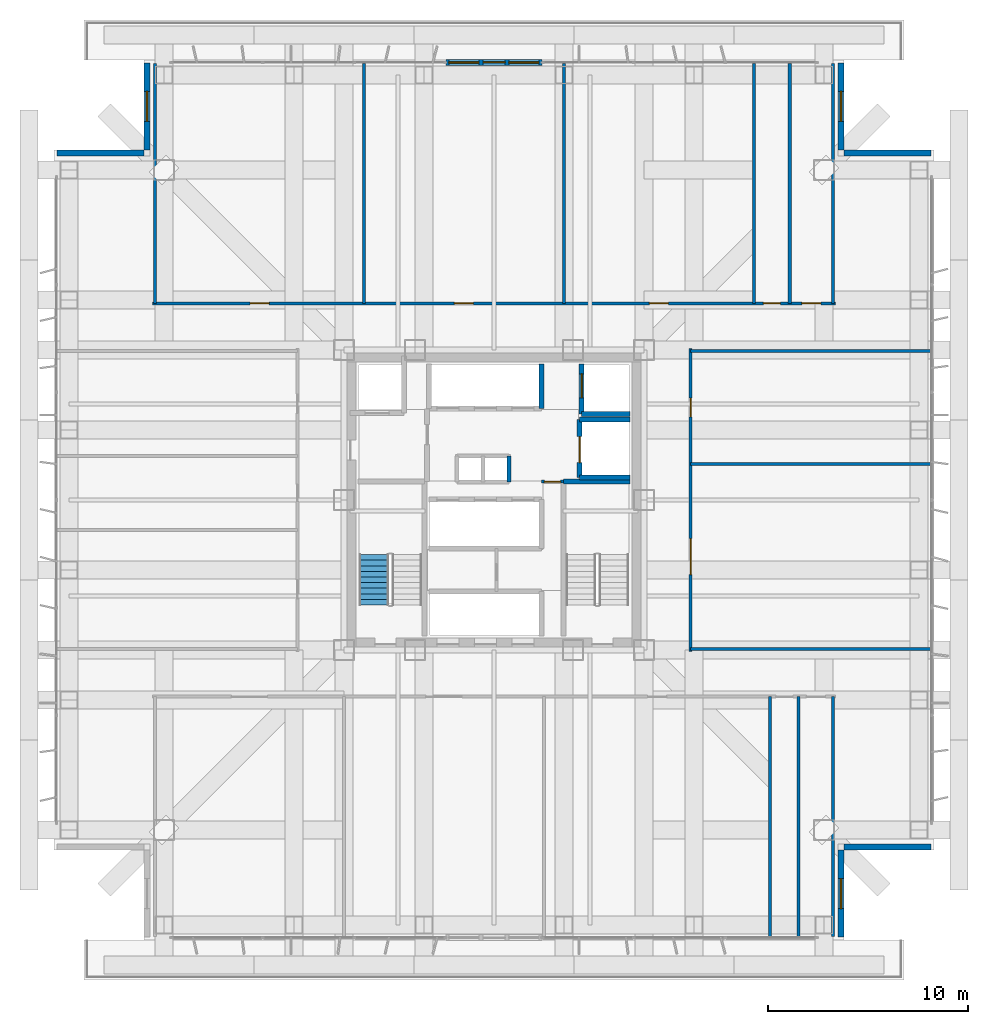
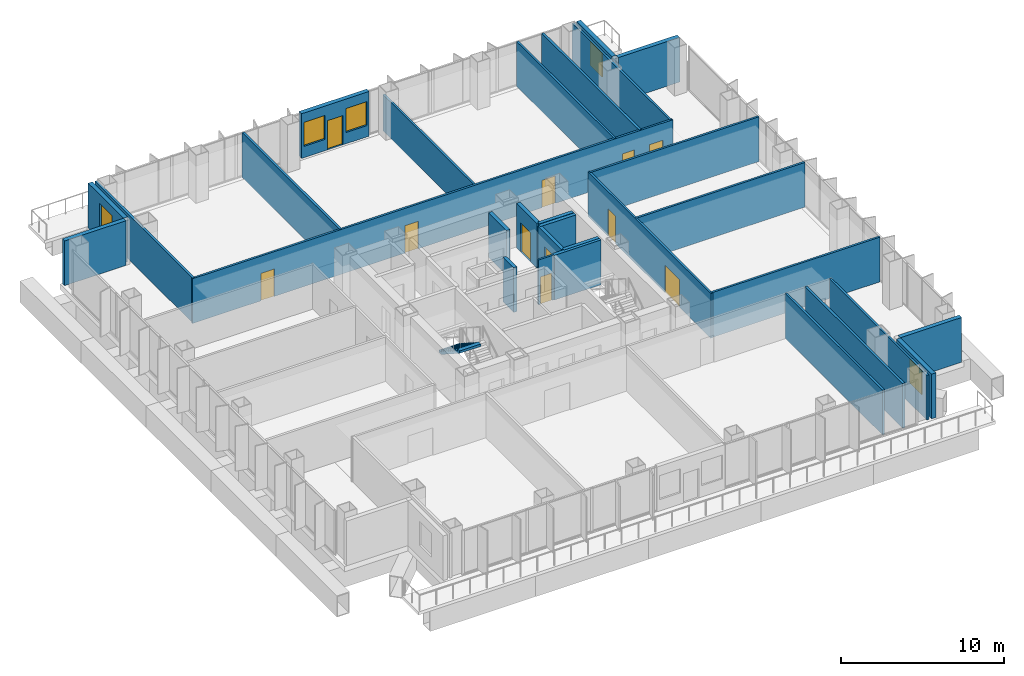
# One storey, part 13 of 17: 30 walls, 11 doors, 5 windows, 1 stair flight, 16 openings, 1 element without a shape of its own.
"""IFC4 building model written with IfcOpenShell, lengths in metres."""

from ifc_helpers import new_model, si_unit, direction, frame, frame_2d, origin, place, context, subcontext, project, spatial, polyline, rectangle, outline, extrude, material, layer, layer_set, type_object, element, fill, aggregate, save


model = new_model("IFC4")

# Units and contexts
model_context = context("Model", 3, precision=1e-05, world=origin(), true_north=direction((0.0, 1.0)))
body_context = subcontext(model_context, "Body", "Model", "MODEL_VIEW")
ifc_project = project(units=[si_unit("LENGTHUNIT", "METRE"), si_unit("AREAUNIT", "SQUARE_METRE"), si_unit("VOLUMEUNIT", "CUBIC_METRE"), si_unit("PLANEANGLEUNIT", "RADIAN"), si_unit("MASSUNIT", "GRAM", prefix="KILO")], contexts=[model_context])

# Site, building, storey
site_placement = place(None, origin())
site = spatial("IfcSite", under=ifc_project, at=site_placement, CompositionType="ELEMENT")
building_placement = place(site_placement, origin())
building = spatial("IfcBuilding", under=site, at=building_placement, Name="Trevonay Congress Spire", CompositionType="ELEMENT")
storey_placement = place(building_placement, frame((0.0, 0.0, 94.0)))
storey = spatial("IfcBuildingStorey", under=building, at=storey_placement, Name="L23", CompositionType="ELEMENT", Elevation=94.0)

# Wall, openings, doors
ifc_material_1 = material(Name="Concrete C40/50", Category="concrete")
ifc_layer_1 = layer(ifc_material_1, 0.14990234375, Name="Concrete C40/50")
ifc_layer_set_1 = layer_set([ifc_layer_1], Name="Concrete C40/50")
wall_type_1 = type_object("IfcWallType", Name="WAL-CORR-150", PredefinedType="PARTITIONING", material=ifc_layer_set_1)
wall_1_placement = place(storey_placement, frame((-17.070068359375, 9.830078125, 0.0), z_axis=(0.0, 0.0, 1.0), x_axis=(1.0, 0.0, 0.0)))
wall_1 = element("IfcWall", 1, at=wall_1_placement, inside=storey, type_object=wall_type_1, Name="L23 interior wall WP-L23N-COR", PredefinedType="PARTITIONING", context=body_context, shape_type="SweptSolid", body=[
    extrude(rectangle(XDim=34.14013671875, YDim=0.14990234375, at=frame_2d((17.070068359375, 0.0))), origin(), (0.0, 0.0, 1.0), 3.360107421875),
])
opening_1_placement = place(wall_1_placement, frame((4.8701171875, 0.0, 0.0)))
opening_1 = element("IfcOpeningElement", 2, at=opening_1_placement, cuts=wall_1, Name="Opening D07", PredefinedType="OPENING", context=body_context, shape_type="SweptSolid", body=[
    extrude(rectangle(XDim=0.949951171875, YDim=2.06005859375, at=frame_2d((0.47509765625, 1.030029296875))), frame((0.0, 0.0849609375, 0.0), z_axis=(0.0, -1.0, 0.0), x_axis=(1.0, 0.0, 0.0)), (0.0, 0.0, 1.0), 0.169921875),
])
opening_2_placement = place(wall_1_placement, frame((15.094970703125, 0.0, 0.0)))
opening_2 = element("IfcOpeningElement", 3, at=opening_2_placement, cuts=wall_1, Name="Opening D07", PredefinedType="OPENING", context=body_context, shape_type="SweptSolid", body=[
    extrude(rectangle(XDim=0.949951171875, YDim=2.06005859375, at=frame_2d((0.47509765625, 1.030029296875))), frame((0.0, 0.0849609375, 0.0), z_axis=(0.0, -1.0, 0.0), x_axis=(1.0, 0.0, 0.0)), (0.0, 0.0, 1.0), 0.169921875),
])
opening_3_placement = place(wall_1_placement, frame((24.844970703125, 0.0, 0.0)))
opening_3 = element("IfcOpeningElement", 4, at=opening_3_placement, cuts=wall_1, Name="Opening D07", PredefinedType="OPENING", context=body_context, shape_type="SweptSolid", body=[
    extrude(rectangle(XDim=0.949951171875, YDim=2.06005859375, at=frame_2d((0.47509765625, 1.030029296875))), frame((0.0, 0.0849609375, 0.0), z_axis=(0.0, -1.0, 0.0), x_axis=(1.0, 0.0, 0.0)), (0.0, 0.0, 1.0), 0.169921875),
])
opening_4_placement = place(wall_1_placement, frame((30.5400390625, 0.0, 0.0)))
opening_4 = element("IfcOpeningElement", 5, at=opening_4_placement, cuts=wall_1, Name="Opening D10", PredefinedType="OPENING", context=body_context, shape_type="SweptSolid", body=[
    extrude(rectangle(XDim=0.85009765625, YDim=2.050048828125, at=frame_2d((0.425048828125, 1.02490234375))), frame((0.0, 0.0849609375, 0.0), z_axis=(0.0, -1.0, 0.0), x_axis=(1.0, 0.0, 0.0)), (0.0, 0.0, 1.0), 0.169921875),
])
opening_5_placement = place(wall_1_placement, frame((32.465087890625, 0.0, 0.0)))
opening_5 = element("IfcOpeningElement", 6, at=opening_5_placement, cuts=wall_1, Name="Opening D07", PredefinedType="OPENING", context=body_context, shape_type="SweptSolid", body=[
    extrude(rectangle(XDim=0.949951171875, YDim=2.06005859375, at=frame_2d((0.47509765625, 1.030029296875))), frame((0.0, 0.0849609375, 0.0), z_axis=(0.0, -1.0, 0.0), x_axis=(1.0, 0.0, 0.0)), (0.0, 0.0, 1.0), 0.169921875),
])
ifc_material_2 = material(Name="Pale Anodised Aluminium EN AW-6063-T6", Category="aluminium")
door_type_1 = type_object("IfcDoorType", Name="DOR-OFFICE-95", OperationType="NOTDEFINED", PredefinedType="DOOR", material=ifc_material_2)
door_1_placement = place(opening_1_placement, origin())
door_1 = element("IfcDoor", 7, at=door_1_placement, inside=storey, type_object=door_type_1, Name="L23 Sky-Lobby Business Secretariat Office Door", OperationType="SINGLE_SWING_RIGHT", OverallHeight=2.06005859375, OverallWidth=0.949951171875, PredefinedType="DOOR", context=body_context, shape_type="SweptSolid", body=[
    extrude(rectangle(XDim=0.949951171875, YDim=2.06005859375, at=frame_2d((0.47509765625, 1.030029296875))), frame((0.0, 0.02490234375, 0.0), z_axis=(0.0, -1.0, 0.0), x_axis=(1.0, 0.0, 0.0)), (0.0, 0.0, 1.0), 0.050048828125),
])
fill(opening_1, door_1)
door_2_placement = place(opening_2_placement, origin())
door_2 = element("IfcDoor", 8, at=door_2_placement, inside=storey, type_object=door_type_1, Name="L23 Protocol Archive Store Door", OperationType="SINGLE_SWING_LEFT", OverallHeight=2.06005859375, OverallWidth=0.949951171875, PredefinedType="DOOR", context=body_context, shape_type="SweptSolid", body=[
    extrude(rectangle(XDim=0.949951171875, YDim=2.06005859375, at=frame_2d((0.47509765625, 1.030029296875))), frame((0.0, 0.02490234375, 0.0), z_axis=(0.0, -1.0, 0.0), x_axis=(1.0, 0.0, 0.0)), (0.0, 0.0, 1.0), 0.050048828125),
])
fill(opening_2, door_2)
door_3_placement = place(opening_3_placement, origin())
door_3 = element("IfcDoor", 9, at=door_3_placement, inside=storey, type_object=door_type_1, Name="L23 Press Interview Office Door", OperationType="SINGLE_SWING_RIGHT", OverallHeight=2.06005859375, OverallWidth=0.949951171875, PredefinedType="DOOR", context=body_context, shape_type="SweptSolid", body=[
    extrude(rectangle(XDim=0.949951171875, YDim=2.06005859375, at=frame_2d((0.47509765625, 1.030029296875))), frame((0.0, 0.02490234375, 0.0), z_axis=(0.0, -1.0, 0.0), x_axis=(1.0, 0.0, 0.0)), (0.0, 0.0, 1.0), 0.050048828125),
])
fill(opening_3, door_3)
door_4_placement = place(opening_5_placement, origin())
door_4 = element("IfcDoor", 10, at=door_4_placement, inside=storey, type_object=door_type_1, Name="L23 Floor Supplies and Copy Room Door", OperationType="SINGLE_SWING_RIGHT", OverallHeight=2.06005859375, OverallWidth=0.949951171875, PredefinedType="DOOR", context=body_context, shape_type="SweptSolid", body=[
    extrude(rectangle(XDim=0.949951171875, YDim=2.06005859375, at=frame_2d((0.47509765625, 1.030029296875))), frame((0.0, 0.02490234375, 0.0), z_axis=(0.0, -1.0, 0.0), x_axis=(1.0, 0.0, 0.0)), (0.0, 0.0, 1.0), 0.050048828125),
])
fill(opening_5, door_4)
door_type_2 = type_object("IfcDoorType", Name="DOR-WC-85", OperationType="NOTDEFINED", PredefinedType="DOOR", material=ifc_material_2)
door_5_placement = place(opening_4_placement, origin())
door_5 = element("IfcDoor", 11, at=door_5_placement, inside=storey, type_object=door_type_2, Name="L23 Female Restroom WC Door", OperationType="SINGLE_SWING_LEFT", OverallHeight=2.050048828125, OverallWidth=0.85009765625, PredefinedType="DOOR", context=body_context, shape_type="SweptSolid", body=[
    extrude(rectangle(XDim=0.85009765625, YDim=2.050048828125, at=frame_2d((0.425048828125, 1.02490234375))), frame((0.0, 0.02490234375, 0.0), z_axis=(0.0, -1.0, 0.0), x_axis=(1.0, 0.0, 0.0)), (0.0, 0.0, 1.0), 0.050048828125),
])
fill(opening_4, door_5)

wall_2_placement = place(storey_placement, frame((9.830078125, -7.570068359375, 0.0), z_axis=(0.0, 0.0, 1.0), x_axis=(0.0, 1.0, 0.0)))
wall_2 = element("IfcWall", 12, at=wall_2_placement, inside=storey, type_object=wall_type_1, Name="L23 interior wall WP-L23E-COR", PredefinedType="PARTITIONING", context=body_context, shape_type="SweptSolid", body=[
    extrude(rectangle(XDim=15.14013671875, YDim=0.14990234375, at=frame_2d((7.570068359375, 0.0))), origin(), (0.0, 0.0, 1.0), 3.360107421875),
])
opening_6_placement = place(wall_2_placement, frame((3.844970703125, 0.0, 0.0)))
opening_6 = element("IfcOpeningElement", 13, at=opening_6_placement, cuts=wall_2, Name="Opening D09", PredefinedType="OPENING", context=body_context, shape_type="SweptSolid", body=[
    extrude(rectangle(XDim=1.800048828125, YDim=2.080078125, at=frame_2d((0.89990234375, 1.0400390625))), frame((0.0, 0.0849609375, 0.0), z_axis=(0.0, -1.0, 0.0), x_axis=(1.0, 0.0, 0.0)), (0.0, 0.0, 1.0), 0.169921875),
])
opening_7_placement = place(wall_2_placement, frame((11.719970703125, 0.0, 0.0)))
opening_7 = element("IfcOpeningElement", 14, at=opening_7_placement, cuts=wall_2, Name="Opening D07", PredefinedType="OPENING", context=body_context, shape_type="SweptSolid", body=[
    extrude(rectangle(XDim=0.949951171875, YDim=2.06005859375, at=frame_2d((0.47509765625, 1.030029296875))), frame((0.0, 0.0849609375, 0.0), z_axis=(0.0, -1.0, 0.0), x_axis=(1.0, 0.0, 0.0)), (0.0, 0.0, 1.0), 0.169921875),
])
door_type_3 = type_object("IfcDoorType", Name="DOR-CONF-DBL", OperationType="DOUBLE_DOOR_SINGLE_SWING", PredefinedType="DOOR", material=ifc_material_2)
door_6_placement = place(opening_6_placement, origin())
door_6 = element("IfcDoor", 15, at=door_6_placement, inside=storey, type_object=door_type_3, Name="L23 VIP Delegation Waiting Salon Door", OperationType="DOUBLE_DOOR_SINGLE_SWING", OverallHeight=2.080078125, OverallWidth=1.800048828125, PredefinedType="DOOR", context=body_context, shape_type="SweptSolid", body=[
    extrude(rectangle(XDim=1.800048828125, YDim=2.080078125, at=frame_2d((0.89990234375, 1.0400390625))), frame((0.0, 0.02490234375, 0.0), z_axis=(0.0, -1.0, 0.0), x_axis=(1.0, 0.0, 0.0)), (0.0, 0.0, 1.0), 0.050048828125),
])
fill(opening_6, door_6)
door_7_placement = place(opening_7_placement, origin())
door_7 = element("IfcDoor", 16, at=door_7_placement, inside=storey, type_object=door_type_1, Name="L23 Catering Servery Kitchen Door", OperationType="SINGLE_SWING_RIGHT", OverallHeight=2.06005859375, OverallWidth=0.949951171875, PredefinedType="DOOR", context=body_context, shape_type="SweptSolid", body=[
    extrude(rectangle(XDim=0.949951171875, YDim=2.06005859375, at=frame_2d((0.47509765625, 1.030029296875))), frame((0.0, 0.02490234375, 0.0), z_axis=(0.0, -1.0, 0.0), x_axis=(1.0, 0.0, 0.0)), (0.0, 0.0, 1.0), 0.050048828125),
])
fill(opening_7, door_7)

# Wall, openings, door, windows
ifc_material_3 = material(Name="Precast concrete C40/50", Category="concrete")
ifc_layer_2 = layer(ifc_material_3, 0.300048828125, Name="Precast concrete C40/50")
ifc_layer_set_2 = layer_set([ifc_layer_2], Name="Precast concrete C40/50")
wall_type_2 = type_object("IfcWallType", Name="WAL-EXT-PRECAST-300", PredefinedType="SOLIDWALL", material=ifc_layer_set_2)
wall_3_placement = place(storey_placement, frame((-2.39990234375, 21.8798828125, 0.0), z_axis=(0.0, 0.0, 1.0), x_axis=(1.0, 0.0, 0.0)))
wall_3 = element("IfcWall", 17, at=wall_3_placement, inside=storey, type_object=wall_type_2, Name="L23 N glazed balcony portal exterior wall", PredefinedType="SOLIDWALL", context=body_context, shape_type="SweptSolid", body=[
    extrude(rectangle(XDim=4.7998046875, YDim=0.300048828125, at=frame_2d((2.39990234375, 0.0))), origin(), (0.0, 0.0, 1.0), 3.360107421875),
])
opening_8_placement = place(wall_3_placement, frame((1.85009765625, 0.0, 0.0)))
opening_8 = element("IfcOpeningElement", 18, at=opening_8_placement, cuts=wall_3, Name="Opening D03", PredefinedType="OPENING", context=body_context, shape_type="SweptSolid", body=[
    extrude(rectangle(XDim=1.10009765625, YDim=2.199951171875, at=frame_2d((0.550048828125, 1.10009765625))), frame((0.0, 0.16015625, 0.0), z_axis=(0.0, -1.0, 0.0), x_axis=(1.0, 0.0, 0.0)), (0.0, 0.0, 1.0), 0.320068359375),
])
opening_9_placement = place(wall_3_placement, frame((0.14990234375, 0.0, 0.85009765625)))
opening_9 = element("IfcOpeningElement", 19, at=opening_9_placement, cuts=wall_3, Name="Opening WN03", PredefinedType="OPENING", context=body_context, shape_type="SweptSolid", body=[
    extrude(rectangle(XDim=1.5, YDim=1.800048828125, at=frame_2d((0.75, 0.89990234375))), frame((0.0, 0.16015625, 0.0), z_axis=(0.0, -1.0, 0.0), x_axis=(1.0, 0.0, 0.0)), (0.0, 0.0, 1.0), 0.320068359375),
])
opening_10_placement = place(wall_3_placement, frame((3.14990234375, 0.0, 0.85009765625)))
opening_10 = element("IfcOpeningElement", 20, at=opening_10_placement, cuts=wall_3, Name="Opening WN03", PredefinedType="OPENING", context=body_context, shape_type="SweptSolid", body=[
    extrude(rectangle(XDim=1.5, YDim=1.800048828125, at=frame_2d((0.75, 0.89990234375))), frame((0.0, 0.16015625, 0.0), z_axis=(0.0, -1.0, 0.0), x_axis=(1.0, 0.0, 0.0)), (0.0, 0.0, 1.0), 0.320068359375),
])
door_type_4 = type_object("IfcDoorType", Name="DOR-EXT-BAL-110", OperationType="NOTDEFINED", PredefinedType="DOOR", material=ifc_material_2)
door_8_placement = place(opening_8_placement, origin())
door_8 = element("IfcDoor", 21, at=door_8_placement, inside=storey, type_object=door_type_4, Name="L23 N glazed outdoor terrace and balcony door", OperationType="SINGLE_SWING_RIGHT", OverallHeight=2.199951171875, OverallWidth=1.10009765625, PredefinedType="DOOR", context=body_context, shape_type="SweptSolid", body=[
    extrude(rectangle(XDim=1.10009765625, YDim=2.199951171875, at=frame_2d((0.550048828125, 1.10009765625))), frame((0.0, 0.02490234375, 0.0), z_axis=(0.0, -1.0, 0.0), x_axis=(1.0, 0.0, 0.0)), (0.0, 0.0, 1.0), 0.050048828125),
])
fill(opening_8, door_8)
ifc_material_4 = material(Name="Insulated Low-E Vision Glass IGU", Category="glass")
window_type = type_object("IfcWindowType", Name="WIN-NOTCH-150X180", PartitioningType="SINGLE_PANEL", PredefinedType="WINDOW", material=ifc_material_4)
window_1_placement = place(opening_9_placement, origin())
window_1 = element("IfcWindow", 22, at=window_1_placement, inside=storey, type_object=window_type, Name="L23 N balcony sidelight window L", OverallHeight=1.800048828125, OverallWidth=1.5, PartitioningType="SINGLE_PANEL", PredefinedType="WINDOW", context=body_context, shape_type="SweptSolid", body=[
    extrude(rectangle(XDim=1.5, YDim=1.800048828125, at=frame_2d((0.75, 0.89990234375))), frame((0.0, 0.030029296875, 0.0), z_axis=(0.0, -1.0, 0.0), x_axis=(1.0, 0.0, 0.0)), (0.0, 0.0, 1.0), 0.06005859375),
])
fill(opening_9, window_1)
window_2_placement = place(opening_10_placement, origin())
window_2 = element("IfcWindow", 23, at=window_2_placement, inside=storey, type_object=window_type, Name="L23 N balcony sidelight window R", OverallHeight=1.800048828125, OverallWidth=1.5, PartitioningType="SINGLE_PANEL", PredefinedType="WINDOW", context=body_context, shape_type="SweptSolid", body=[
    extrude(rectangle(XDim=1.5, YDim=1.800048828125, at=frame_2d((0.75, 0.89990234375))), frame((0.0, 0.030029296875, 0.0), z_axis=(0.0, -1.0, 0.0), x_axis=(1.0, 0.0, 0.0)), (0.0, 0.0, 1.0), 0.06005859375),
])
fill(opening_10, window_2)

# Wall, opening, window
wall_4_placement = place(storey_placement, frame((17.35009765625, -21.85009765625, 0.0), z_axis=(0.0, 0.0, 1.0), x_axis=(0.0, 1.0, 0.0)))
wall_4 = element("IfcWall", 24, at=wall_4_placement, inside=storey, type_object=wall_type_2, Name="L23 SE re-entrant notch exterior wall 1", PredefinedType="SOLIDWALL", context=body_context, shape_type="SweptSolid", body=[
    extrude(rectangle(XDim=4.35009765625, YDim=0.300048828125, at=frame_2d((2.175048828125, 0.0))), origin(), (0.0, 0.0, 1.0), 3.360107421875),
])
opening_11_placement = place(wall_4_placement, frame((1.425048828125, 0.0, 0.89990234375)))
opening_11 = element("IfcOpeningElement", 25, at=opening_11_placement, cuts=wall_4, Name="Opening WN03", PredefinedType="OPENING", context=body_context, shape_type="SweptSolid", body=[
    extrude(rectangle(XDim=1.5, YDim=1.800048828125, at=frame_2d((0.75, 0.89990234375))), frame((0.0, 0.16015625, 0.0), z_axis=(0.0, -1.0, 0.0), x_axis=(1.0, 0.0, 0.0)), (0.0, 0.0, 1.0), 0.320068359375),
])
window_3_placement = place(opening_11_placement, origin())
window_3 = element("IfcWindow", 26, at=window_3_placement, inside=storey, type_object=window_type, Name="L23 SE corner notch window", OverallHeight=1.800048828125, OverallWidth=1.5, PartitioningType="SINGLE_PANEL", PredefinedType="WINDOW", context=body_context, shape_type="SweptSolid", body=[
    extrude(rectangle(XDim=1.5, YDim=1.800048828125, at=frame_2d((0.75, 0.89990234375))), frame((0.0, 0.030029296875, 0.0), z_axis=(0.0, -1.0, 0.0), x_axis=(1.0, 0.0, 0.0)), (0.0, 0.0, 1.0), 0.06005859375),
])
fill(opening_11, window_3)

# Wall
wall_5_placement = place(storey_placement, frame((21.85009765625, -17.35009765625, 0.0), z_axis=(0.0, 0.0, 1.0), x_axis=(-1.0, 0.0, 0.0)))
element("IfcWall", 27, at=wall_5_placement, inside=storey, type_object=wall_type_2, Name="L23 SE re-entrant notch exterior wall 2", PredefinedType="SOLIDWALL", context=body_context, shape_type="SweptSolid", body=[
    extrude(rectangle(XDim=4.35009765625, YDim=0.300048828125, at=frame_2d((2.175048828125, 0.0))), origin(), (0.0, 0.0, 1.0), 3.360107421875),
])

# Wall, opening, window
wall_6_placement = place(storey_placement, frame((17.35009765625, 21.85009765625, 0.0), z_axis=(0.0, 0.0, 1.0), x_axis=(0.0, -1.0, 0.0)))
wall_6 = element("IfcWall", 28, at=wall_6_placement, inside=storey, type_object=wall_type_2, Name="L23 NE re-entrant notch exterior wall 1", PredefinedType="SOLIDWALL", context=body_context, shape_type="SweptSolid", body=[
    extrude(rectangle(XDim=4.35009765625, YDim=0.300048828125, at=frame_2d((2.175048828125, 0.0))), origin(), (0.0, 0.0, 1.0), 3.360107421875),
])
opening_12_placement = place(wall_6_placement, frame((1.425048828125, 0.0, 0.89990234375)))
opening_12 = element("IfcOpeningElement", 29, at=opening_12_placement, cuts=wall_6, Name="Opening WN03", PredefinedType="OPENING", context=body_context, shape_type="SweptSolid", body=[
    extrude(rectangle(XDim=1.5, YDim=1.800048828125, at=frame_2d((0.75, 0.89990234375))), frame((0.0, 0.16015625, 0.0), z_axis=(0.0, -1.0, 0.0), x_axis=(1.0, 0.0, 0.0)), (0.0, 0.0, 1.0), 0.320068359375),
])
window_4_placement = place(opening_12_placement, origin())
window_4 = element("IfcWindow", 30, at=window_4_placement, inside=storey, type_object=window_type, Name="L23 NE corner notch window", OverallHeight=1.800048828125, OverallWidth=1.5, PartitioningType="SINGLE_PANEL", PredefinedType="WINDOW", context=body_context, shape_type="SweptSolid", body=[
    extrude(rectangle(XDim=1.5, YDim=1.800048828125, at=frame_2d((0.75, 0.89990234375))), frame((0.0, 0.030029296875, 0.0), z_axis=(0.0, -1.0, 0.0), x_axis=(1.0, 0.0, 0.0)), (0.0, 0.0, 1.0), 0.06005859375),
])
fill(opening_12, window_4)

# Wall
wall_7_placement = place(storey_placement, frame((21.85009765625, 17.35009765625, 0.0), z_axis=(0.0, 0.0, 1.0), x_axis=(-1.0, 0.0, 0.0)))
element("IfcWall", 31, at=wall_7_placement, inside=storey, type_object=wall_type_2, Name="L23 NE re-entrant notch exterior wall 2", PredefinedType="SOLIDWALL", context=body_context, shape_type="SweptSolid", body=[
    extrude(rectangle(XDim=4.35009765625, YDim=0.300048828125, at=frame_2d((2.175048828125, 0.0))), origin(), (0.0, 0.0, 1.0), 3.360107421875),
])

# Wall, opening, window
wall_8_placement = place(storey_placement, frame((-17.35009765625, 21.85009765625, 0.0), z_axis=(0.0, 0.0, 1.0), x_axis=(0.0, -1.0, 0.0)))
wall_8 = element("IfcWall", 32, at=wall_8_placement, inside=storey, type_object=wall_type_2, Name="L23 NW re-entrant notch exterior wall 1", PredefinedType="SOLIDWALL", context=body_context, shape_type="SweptSolid", body=[
    extrude(rectangle(XDim=4.35009765625, YDim=0.300048828125, at=frame_2d((2.175048828125, 0.0))), origin(), (0.0, 0.0, 1.0), 3.360107421875),
])
opening_13_placement = place(wall_8_placement, frame((1.425048828125, 0.0, 0.89990234375)))
opening_13 = element("IfcOpeningElement", 33, at=opening_13_placement, cuts=wall_8, Name="Opening WN03", PredefinedType="OPENING", context=body_context, shape_type="SweptSolid", body=[
    extrude(rectangle(XDim=1.5, YDim=1.800048828125, at=frame_2d((0.75, 0.89990234375))), frame((0.0, 0.16015625, 0.0), z_axis=(0.0, -1.0, 0.0), x_axis=(1.0, 0.0, 0.0)), (0.0, 0.0, 1.0), 0.320068359375),
])
window_5_placement = place(opening_13_placement, origin())
window_5 = element("IfcWindow", 34, at=window_5_placement, inside=storey, type_object=window_type, Name="L23 NW corner notch window", OverallHeight=1.800048828125, OverallWidth=1.5, PartitioningType="SINGLE_PANEL", PredefinedType="WINDOW", context=body_context, shape_type="SweptSolid", body=[
    extrude(rectangle(XDim=1.5, YDim=1.800048828125, at=frame_2d((0.75, 0.89990234375))), frame((0.0, 0.030029296875, 0.0), z_axis=(0.0, -1.0, 0.0), x_axis=(1.0, 0.0, 0.0)), (0.0, 0.0, 1.0), 0.06005859375),
])
fill(opening_13, window_5)

# Wall
wall_9_placement = place(storey_placement, frame((-21.85009765625, 17.35009765625, 0.0), z_axis=(0.0, 0.0, 1.0), x_axis=(1.0, 0.0, 0.0)))
element("IfcWall", 35, at=wall_9_placement, inside=storey, type_object=wall_type_2, Name="L23 NW re-entrant notch exterior wall 2", PredefinedType="SOLIDWALL", context=body_context, shape_type="SweptSolid", body=[
    extrude(rectangle(XDim=4.35009765625, YDim=0.300048828125, at=frame_2d((2.175048828125, 0.0))), origin(), (0.0, 0.0, 1.0), 3.360107421875),
])

# Wall, opening, door
ifc_layer_3 = layer(ifc_material_1, 0.14990234375, Name="Concrete C40/50")
ifc_layer_set_3 = layer_set([ifc_layer_3], Name="Concrete C40/50")
wall_type_3 = type_object("IfcWallType", Name="WAL-PART-150", PredefinedType="PARTITIONING", material=ifc_layer_set_3)
wall_10_placement = place(storey_placement, frame((2.3798828125, 0.919921875, 0.0), z_axis=(0.0, 0.0, 1.0), x_axis=(1.0, 0.0, 0.0)))
wall_10 = element("IfcWall", 36, at=wall_10_placement, inside=storey, type_object=wall_type_3, Name="L23 interior wall CW-CSRV-N-L23", PredefinedType="PARTITIONING", context=body_context, shape_type="SweptSolid", body=[
    extrude(rectangle(XDim=1.090087890625, YDim=0.14990234375, at=frame_2d((0.544921875, 0.0))), origin(), (0.0, 0.0, 1.0), 3.360107421875),
])
opening_14_placement = place(wall_10_placement, frame((0.135009765625, 0.0, 0.0)))
opening_14 = element("IfcOpeningElement", 37, at=opening_14_placement, cuts=wall_10, Name="Opening D13", PredefinedType="OPENING", context=body_context, shape_type="SweptSolid", body=[
    extrude(rectangle(XDim=0.820068359375, YDim=2.050048828125, at=frame_2d((0.41015625, 1.02490234375))), frame((0.0, 0.0849609375, 0.0), z_axis=(0.0, -1.0, 0.0), x_axis=(1.0, 0.0, 0.0)), (0.0, 0.0, 1.0), 0.169921875),
])
ifc_material_5 = material(Name="Steel ASTM A572 Grade 50", Category="steel")
door_type_5 = type_object("IfcDoorType", Name="DOR-UTIL-80", OperationType="NOTDEFINED", PredefinedType="DOOR", material=ifc_material_5)
door_9_placement = place(opening_14_placement, origin())
door_9 = element("IfcDoor", 38, at=door_9_placement, inside=storey, type_object=door_type_5, Name="L23 Core Service Pocket Door", OperationType="SINGLE_SWING_LEFT", OverallHeight=2.050048828125, OverallWidth=0.820068359375, PredefinedType="DOOR", context=body_context, shape_type="SweptSolid", body=[
    extrude(rectangle(XDim=0.820068359375, YDim=2.050048828125, at=frame_2d((0.41015625, 1.02490234375))), frame((0.0, 0.02490234375, 0.0), z_axis=(0.0, -1.0, 0.0), x_axis=(1.0, 0.0, 0.0)), (0.0, 0.0, 1.0), 0.050048828125),
])
fill(opening_14, door_9)

# Walls
for number, where, z_axis, x_axis, name in (
    (39, (13.800048828125, -21.820068359375, 0.0), (0.0, 0.0, 1.0), (0.0, 1.0, 0.0), "L23 interior wall WP-L23S-DIV4"),
    (40, (16.949951171875, -21.820068359375, 0.0), (0.0, 0.0, 1.0), (0.0, 1.0, 0.0), "L23 interior wall WP-L23S-DIV5"),
):
    element("IfcWall", number, at=place(storey_placement, frame(where, z_axis=z_axis, x_axis=x_axis)), inside=storey, type_object=wall_type_3, Name=name, PredefinedType="PARTITIONING", context=body_context, shape_type="SweptSolid", body=[
        extrude(rectangle(XDim=11.989990234375, YDim=0.14990234375, at=frame_2d((5.9951171875, 0.0))), origin(), (0.0, 0.0, 1.0), 3.360107421875),
    ])
wall_11_placement = place(storey_placement, frame((3.5, 9.830078125, 0.0), z_axis=(0.0, 0.0, 1.0), x_axis=(0.0, 1.0, 0.0)))
element("IfcWall", 41, at=wall_11_placement, inside=storey, type_object=wall_type_3, Name="L23 interior wall WP-L23N-DIV3", PredefinedType="PARTITIONING", context=body_context, shape_type="SweptSolid", body=[
    extrude(rectangle(XDim=11.989990234375, YDim=0.14990234375, at=frame_2d((5.9951171875, 0.0))), origin(), (0.0, 0.0, 1.0), 2.718017578125),
])
for number, where, z_axis, x_axis, name in (
    (42, (13.0, 9.830078125, 0.0), (0.0, 0.0, 1.0), (0.0, 1.0, 0.0), "L23 interior wall WP-L23N-DIV4"),
    (43, (16.949951171875, 9.830078125, 0.0), (0.0, 0.0, 1.0), (0.0, 1.0, 0.0), "L23 interior wall WP-L23N-DIV5"),
    (44, (9.830078125, -7.449951171875, 0.0), (0.0, 0.0, 1.0), (1.0, 0.0, 0.0), "L23 interior wall WP-L23E-DIV1"),
    (45, (9.830078125, 1.800048828125, 0.0), (0.0, 0.0, 1.0), (1.0, 0.0, 0.0), "L23 interior wall WP-L23E-DIV2"),
    (46, (9.830078125, 7.449951171875, 0.0), (0.0, 0.0, 1.0), (1.0, 0.0, 0.0), "L23 interior wall WP-L23E-DIV3"),
):
    element("IfcWall", number, at=place(storey_placement, frame(where, z_axis=z_axis, x_axis=x_axis)), inside=storey, type_object=wall_type_3, Name=name, PredefinedType="PARTITIONING", context=body_context, shape_type="SweptSolid", body=[
        extrude(rectangle(XDim=11.989990234375, YDim=0.14990234375, at=frame_2d((5.9951171875, 0.0))), origin(), (0.0, 0.0, 1.0), 3.360107421875),
    ])
ifc_layer_4 = layer(ifc_material_1, 0.219970703125, Name="Concrete C40/50")
ifc_layer_set_4 = layer_set([ifc_layer_4], Name="Concrete C40/50")
wall_type_4 = type_object("IfcWallType", Name="WAL-SHAFT-220", PredefinedType="PARTITIONING", material=ifc_layer_set_4)
wall_12_placement = place(storey_placement, frame((0.75, 0.89990234375, 0.0), z_axis=(0.0, 0.0, 1.0), x_axis=(0.0, 1.0, 0.0)))
element("IfcWall", 47, at=wall_12_placement, inside=storey, type_object=wall_type_4, Name="L23 interior shaft wall WSH-L23-RSR-E", PredefinedType="PARTITIONING", context=body_context, shape_type="SweptSolid", body=[
    extrude(rectangle(XDim=1.300048828125, YDim=0.219970703125, at=frame_2d((0.64990234375, 0.0))), origin(), (0.0, 0.0, 1.0), 3.360107421875),
])
ifc_layer_5 = layer(ifc_material_1, 0.25, Name="Concrete C40/50")
ifc_layer_set_5 = layer_set([ifc_layer_5], Name="Concrete C40/50")
wall_type_5 = type_object("IfcWallType", Name="WAL-SHAFT-250", PredefinedType="SHEAR", material=ifc_layer_set_5)
wall_13_placement = place(storey_placement, frame((2.3798828125, 4.580078125, 0.0), z_axis=(0.0, 0.0, 1.0), x_axis=(0.0, 1.0, 0.0)))
element("IfcWall", 48, at=wall_13_placement, inside=storey, type_object=wall_type_5, Name="L23 interior shaft wall WSH-L23-B3-E", PredefinedType="SHEAR", context=body_context, shape_type="SweptSolid", body=[
    extrude(rectangle(XDim=2.219970703125, YDim=0.25, at=frame_2d((1.10986328125, 0.0))), origin(), (0.0, 0.0, 1.0), 3.360107421875),
])
wall_14_placement = place(storey_placement, frame((4.3798828125, 4.300048828125, 0.0), z_axis=(0.0, 0.0, 1.0), x_axis=(1.0, 0.0, 0.0)))
element("IfcWall", 49, at=wall_14_placement, inside=storey, type_object=wall_type_5, Name="L23 interior shaft wall WSH-L23-FF2-S", PredefinedType="SHEAR", context=body_context, shape_type="SweptSolid", body=[
    extrude(rectangle(XDim=2.420166015625, YDim=0.25, at=frame_2d((1.2099609375, 0.0))), origin(), (0.0, 0.0, 1.0), 3.360107421875),
])

# Wall, opening, door
wall_15_placement = place(storey_placement, frame((4.3798828125, 4.300048828125, 0.0), z_axis=(0.0, 0.0, 1.0), x_axis=(0.0, 1.0, 0.0)))
wall_15 = element("IfcWall", 50, at=wall_15_placement, inside=storey, type_object=wall_type_5, Name="L23 interior shaft wall WSH-L23-FF2-W", PredefinedType="SHEAR", context=body_context, shape_type="SweptSolid", body=[
    extrude(rectangle(XDim=2.5, YDim=0.25, at=frame_2d((1.25, 0.0))), origin(), (0.0, 0.0, 1.0), 3.360107421875),
])
opening_15_placement = place(wall_15_placement, frame((0.800048828125, 0.0, 0.0)))
opening_15 = element("IfcOpeningElement", 51, at=opening_15_placement, cuts=wall_15, Name="Opening LD04", PredefinedType="OPENING", context=body_context, shape_type="SweptSolid", body=[
    extrude(rectangle(XDim=1.199951171875, YDim=2.199951171875, at=frame_2d((0.60009765625, 1.10009765625))), frame((0.0, 0.135009765625, 0.0), z_axis=(0.0, -1.0, 0.0), x_axis=(1.0, 0.0, 0.0)), (0.0, 0.0, 1.0), 0.27001953125),
])
door_type_6 = type_object("IfcDoorType", Name="DOR-LIFT-LD04", OperationType="DOUBLE_DOOR_SLIDING", PredefinedType="DOOR", material=ifc_material_5)
door_10_placement = place(opening_15_placement, origin())
door_10 = element("IfcDoor", 52, at=door_10_placement, inside=storey, type_object=door_type_6, Name="L23 Firefighting lift FFL-02 landing door", OperationType="DOUBLE_DOOR_SLIDING", OverallHeight=2.199951171875, OverallWidth=1.199951171875, PredefinedType="DOOR", context=body_context, shape_type="SweptSolid", body=[
    extrude(rectangle(XDim=1.199951171875, YDim=2.199951171875, at=frame_2d((0.60009765625, 1.10009765625))), frame((0.0, 0.02490234375, 0.0), z_axis=(0.0, -1.0, 0.0), x_axis=(1.0, 0.0, 0.0)), (0.0, 0.0, 1.0), 0.050048828125),
])
fill(opening_15, door_10)

wall_16_placement = place(storey_placement, frame((4.280029296875, 1.1201171875, 0.0), z_axis=(0.0, 0.0, 1.0), x_axis=(0.0, 1.0, 0.0)))
wall_16 = element("IfcWall", 53, at=wall_16_placement, inside=storey, type_object=wall_type_5, Name="L23 interior shaft wall WSH-L23-SV-W", PredefinedType="SHEAR", context=body_context, shape_type="SweptSolid", body=[
    extrude(rectangle(XDim=2.89990234375, YDim=0.25, at=frame_2d((1.449951171875, 0.0))), origin(), (0.0, 0.0, 1.0), 3.360107421875),
])
opening_16_placement = place(wall_16_placement, frame((0.75, 0.0, 0.0)))
opening_16 = element("IfcOpeningElement", 54, at=opening_16_placement, cuts=wall_16, Name="Opening LD05", PredefinedType="OPENING", context=body_context, shape_type="SweptSolid", body=[
    extrude(rectangle(XDim=1.300048828125, YDim=2.300048828125, at=frame_2d((0.64990234375, 1.14990234375))), frame((0.0, 0.135009765625, 0.0), z_axis=(0.0, -1.0, 0.0), x_axis=(1.0, 0.0, 0.0)), (0.0, 0.0, 1.0), 0.27001953125),
])
door_type_7 = type_object("IfcDoorType", Name="DOR-LIFT-LD05", OperationType="DOUBLE_DOOR_SLIDING", PredefinedType="DOOR", material=ifc_material_5)
door_11_placement = place(opening_16_placement, origin())
door_11 = element("IfcDoor", 55, at=door_11_placement, inside=storey, type_object=door_type_7, Name="L23 Goods lift SVL-01 landing door", OperationType="DOUBLE_DOOR_SLIDING", OverallHeight=2.300048828125, OverallWidth=1.300048828125, PredefinedType="DOOR", context=body_context, shape_type="SweptSolid", body=[
    extrude(rectangle(XDim=1.300048828125, YDim=2.300048828125, at=frame_2d((0.64990234375, 1.14990234375))), frame((0.0, 0.02490234375, 0.0), z_axis=(0.0, -1.0, 0.0), x_axis=(1.0, 0.0, 0.0)), (0.0, 0.0, 1.0), 0.050048828125),
])
fill(opening_16, door_11)

# Walls
for number, where, z_axis, x_axis, name in (
    (56, (4.280029296875, 1.1201171875, 0.0), (0.0, 0.0, 1.0), (1.0, 0.0, 0.0), "L23 interior shaft wall WSH-L23-SV-S"),
    (57, (4.280029296875, 4.02001953125, 0.0), (0.0, 0.0, 1.0), (1.0, 0.0, 0.0), "L23 interior shaft wall WSH-L23-SV-N"),
):
    element("IfcWall", number, at=place(storey_placement, frame(where, z_axis=z_axis, x_axis=x_axis)), inside=storey, type_object=wall_type_5, Name=name, PredefinedType="SHEAR", context=body_context, shape_type="SweptSolid", body=[
        extrude(rectangle(XDim=2.52001953125, YDim=0.25, at=frame_2d((1.260009765625, 0.0))), origin(), (0.0, 0.0, 1.0), 3.360107421875),
    ])
ifc_layer_6 = layer(ifc_material_1, 0.25, Name="Concrete C40/50")
ifc_layer_set_6 = layer_set([ifc_layer_6], Name="Concrete C40/50")
wall_type_6 = type_object("IfcWallType", Name="WAL-SHAFT-LB-250", PredefinedType="SHEAR", material=ifc_layer_set_6)
wall_17_placement = place(storey_placement, frame((3.469970703125, 0.919921875, 0.0), z_axis=(0.0, 0.0, 1.0), x_axis=(1.0, 0.0, 0.0)))
element("IfcWall", 58, at=wall_17_placement, inside=storey, type_object=wall_type_6, Name="L23 interior shaft wall WSH-L23-ST2-N", PredefinedType="SHEAR", context=body_context, shape_type="SweptSolid", body=[
    extrude(rectangle(XDim=3.330078125, YDim=0.25, at=frame_2d((1.6650390625, 0.0))), origin(), (0.0, 0.0, 1.0), 3.360107421875),
])
ifc_layer_7 = layer(ifc_material_1, 0.1650390625, Name="Concrete C40/50")
ifc_layer_set_7 = layer_set([ifc_layer_7], Name="Concrete C40/50")
wall_type_7 = type_object("IfcWallType", Name="WAL-WET-165", PredefinedType="PLUMBINGWALL", material=ifc_layer_set_7)
for number, where, z_axis, x_axis, name in (
    (59, (15.22998046875, -21.820068359375, 0.0), (0.0, 0.0, 1.0), (0.0, 1.0, 0.0), "L23 interior wall WP-L23S-WCS4"),
    (60, (14.7900390625, 9.830078125, 0.0), (0.0, 0.0, 1.0), (0.0, 1.0, 0.0), "L23 interior wall WP-L23N-WCS4"),
    (61, (-16.949951171875, 9.830078125, 0.0), (0.0, 0.0, 1.0), (0.0, 1.0, 0.0), "L23 interior wall WP-L23N-DIV1"),
    (62, (-6.5, 9.830078125, 0.0), (0.0, 0.0, 1.0), (0.0, 1.0, 0.0), "L23 interior wall WP-L23N-DIV2"),
):
    element("IfcWall", number, at=place(storey_placement, frame(where, z_axis=z_axis, x_axis=x_axis)), inside=storey, type_object=wall_type_7, Name=name, PredefinedType="PLUMBINGWALL", context=body_context, shape_type="SweptSolid", body=[
        extrude(rectangle(XDim=11.989990234375, YDim=0.1650390625, at=frame_2d((5.9951171875, 0.0))), origin(), (0.0, 0.0, 1.0), 3.360107421875),
    ])

# Stair, stair flight
stair_type = type_object("IfcStairType", Name="STR-ST-1", PredefinedType="HALF_TURN_STAIR", material=ifc_material_1)
stair_placement = place(storey_placement, origin())
stair = element("IfcStair", 63, at=stair_placement, inside=storey, type_object=stair_type, Name="L23 Protected Exit Stair ST-1", PredefinedType="HALF_TURN_STAIR")
stair_flight_type = type_object("IfcStairFlightType", Name="SFL-ST-1", PredefinedType="STRAIGHT", material=ifc_material_1)
stair_flight_placement = place(storey_placement, frame((-6.0, -2.72998046875, 1.800048828125), z_axis=(0.0, 0.0, 1.0), x_axis=(0.0, -1.0, 0.0)))
stair_flight = element("IfcStairFlight", 64, at=stair_flight_placement, type_object=stair_flight_type, Name="ST-1 flight 2", NumberOfRisers=10, NumberOfTreads=9, PredefinedType="STRAIGHT", RiserHeight=0.18, TreadLength=0.28, context=body_context, shape_type="SweptSolid", body=[
    extrude(outline(polyline([(0.0, 0.0), (0.0, 0.179931640625), (0.280029296875, 0.179931640625), (0.280029296875, 0.360107421875), (0.56005859375, 0.360107421875), (0.56005859375, 0.5400390625), (0.840087890625, 0.5400390625), (0.840087890625, 0.719970703125), (1.1201171875, 0.719970703125), (1.1201171875, 0.89990234375), (1.39990234375, 0.89990234375), (1.39990234375, 1.080078125), (1.679931640625, 1.080078125), (1.679931640625, 1.260009765625), (1.9599609375, 1.260009765625), (1.9599609375, 1.43994140625), (2.239990234375, 1.43994140625), (2.239990234375, 1.6201171875), (2.52001953125, 1.6201171875), (2.52001953125, 1.800048828125), (2.52001953125, 1.44189453125), (0.277099609375, 0.0), (0.0, 0.0)])), frame((0.0, 0.75, 0.0), z_axis=(0.0, -1.0, 0.0), x_axis=(1.0, 0.0, 0.0)), (0.0, 0.0, 1.0), 1.5),
])
aggregate(stair, [stair_flight])

save(model, "model.ifc")
